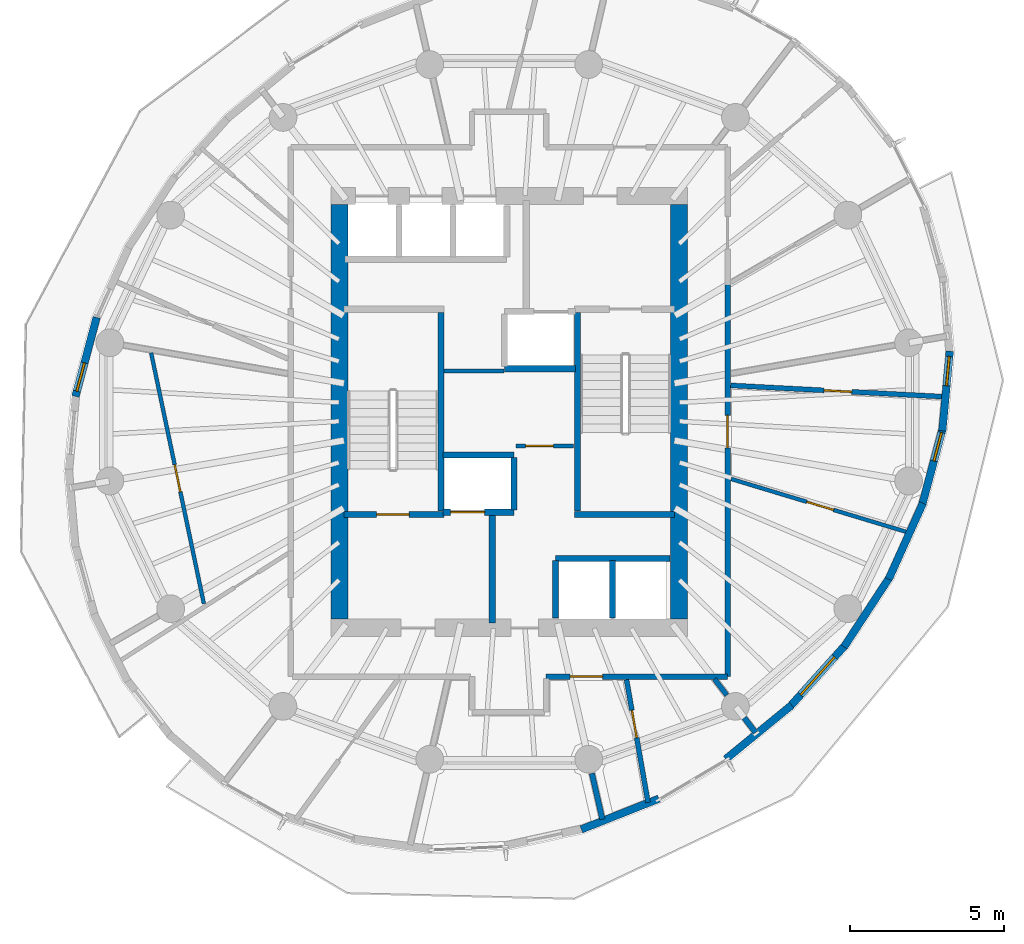
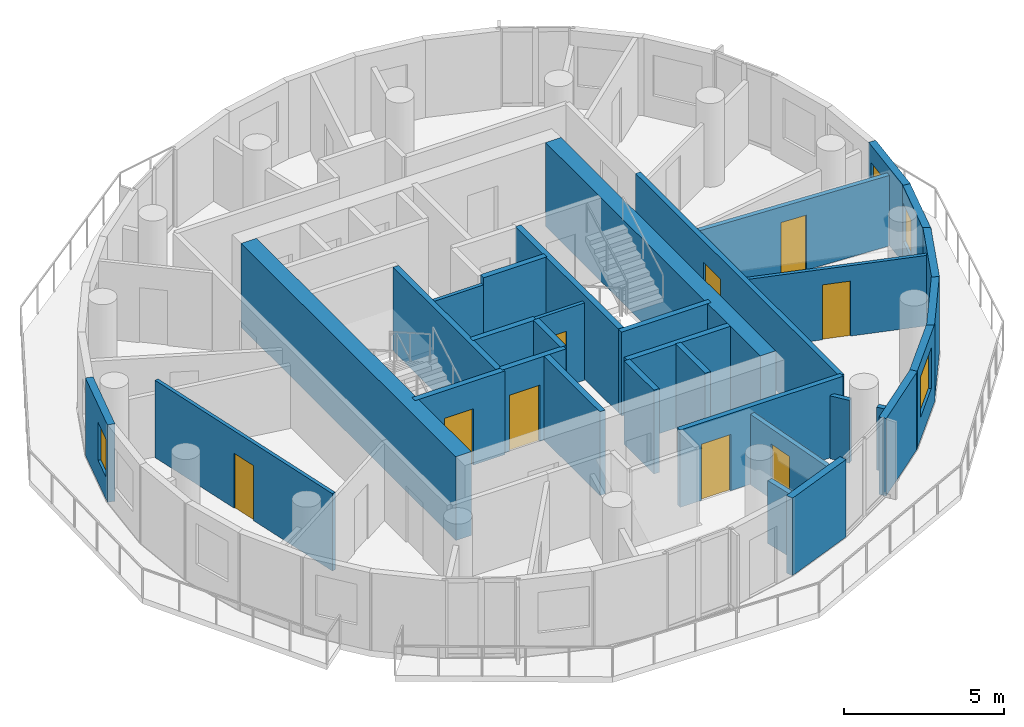
# One storey, part 5 of 10: 33 walls, 9 doors, 4 windows, 13 openings.
"""IFC4 building model written with IfcOpenShell, lengths in metres."""

from ifc_helpers import new_model, si_unit, direction, frame, frame_2d, origin, place, context, subcontext, project, spatial, rectangle, extrude, material, layer, layer_set, type_object, element, fill, save


model = new_model("IFC4")

# Units and contexts
model_context = context("Model", 3, precision=1e-05, world=origin(), true_north=direction((0.0, 1.0)))
body_context = subcontext(model_context, "Body", "Model", "MODEL_VIEW")
ifc_project = project(units=[si_unit("LENGTHUNIT", "METRE"), si_unit("AREAUNIT", "SQUARE_METRE"), si_unit("VOLUMEUNIT", "CUBIC_METRE"), si_unit("PLANEANGLEUNIT", "RADIAN"), si_unit("MASSUNIT", "GRAM", prefix="KILO")], contexts=[model_context])

# Site, building, storey
site_placement = place(None, origin())
site = spatial("IfcSite", under=ifc_project, at=site_placement, CompositionType="ELEMENT")
building_placement = place(site_placement, origin())
building = spatial("IfcBuilding", under=site, at=building_placement, Name="Veldorim Arch Residences", CompositionType="ELEMENT")
storey_placement = place(building_placement, frame((0.0, 0.0, 175.840087890625)))
storey = spatial("IfcBuildingStorey", under=building, at=storey_placement, Name="L52", CompositionType="ELEMENT", Elevation=175.840087890625)

# Wall, opening, door
ifc_material_1 = material(Name="Acoustic Gypsum Board", Category="gypsum")
ifc_layer_1 = layer(ifc_material_1, 0.125, Name="Acoustic Stud Room Partition Wall 125")
ifc_layer_set_1 = layer_set([ifc_layer_1], Name="Acoustic Gypsum Board")
wall_type_1 = type_object("IfcWallType", Name="Acoustic Stud Room Partition Wall 125", PredefinedType="PARTITIONING", material=ifc_layer_set_1)
wall_1_placement = place(storey_placement, frame((32.219970703125, 22.89990234375, 0.0), z_axis=(0.0, 0.0, 1.0), x_axis=(1.0, 0.0, 0.0)))
wall_1 = element("IfcWall", 1, at=wall_1_placement, inside=storey, type_object=wall_type_1, Name="L52 interior wall WL-CA-L52-2", PredefinedType="PARTITIONING", context=body_context, shape_type="SweptSolid", body=[
    extrude(rectangle(XDim=1.860107421875, YDim=0.125, at=frame_2d((0.93017578125, 0.0))), origin(), (0.0, 0.0, 1.0), 2.954833984375),
])
opening_1_placement = place(wall_1_placement, frame((0.31005859375, 0.0, 0.0)))
opening_1 = element("IfcOpeningElement", 2, at=opening_1_placement, cuts=wall_1, Name="Opening DR-SVC", PredefinedType="OPENING", context=body_context, shape_type="SweptSolid", body=[
    extrude(rectangle(XDim=0.89990234375, YDim=2.10009765625, at=frame_2d((0.449951171875, 1.050048828125))), frame((0.0, 0.072509765625, 0.0), z_axis=(0.0, -1.0, 0.0), x_axis=(1.0, 0.0, 0.0)), (0.0, 0.0, 1.0), 0.14501953125),
])
ifc_material_2 = material(Name="Fire-Rated Steel", Category="steel")
door_type_1 = type_object("IfcDoorType", Name="Riser, Shelter & Plant Room Rated Steel Door 900x2100", OperationType="SINGLE_SWING_LEFT", PredefinedType="DOOR", material=ifc_material_2)
door_1_placement = place(opening_1_placement, origin())
door_1 = element("IfcDoor", 3, at=door_1_placement, inside=storey, type_object=door_type_1, Name="L52 interior door DR-L52-CA1", OperationType="SINGLE_SWING_RIGHT", OverallHeight=2.10009765625, OverallWidth=0.89990234375, PredefinedType="DOOR", context=body_context, shape_type="SweptSolid", body=[
    extrude(rectangle(XDim=0.89990234375, YDim=2.10009765625, at=frame_2d((0.449951171875, 1.050048828125))), frame((0.0, 0.02490234375, 0.0), z_axis=(0.0, -1.0, 0.0), x_axis=(1.0, 0.0, 0.0)), (0.0, 0.0, 1.0), 0.050048828125),
])
fill(opening_1, door_1)

# Wall
wall_2_placement = place(storey_placement, frame((29.889892578125, 25.330078125, 0.0), z_axis=(0.0, 0.0, 1.0), x_axis=(1.0, 0.0, 0.0)))
element("IfcWall", 4, at=wall_2_placement, inside=storey, type_object=wall_type_1, Name="L52 interior wall WL-CA-L52-N", PredefinedType="PARTITIONING", context=body_context, shape_type="SweptSolid", body=[
    extrude(rectangle(XDim=1.940185546875, YDim=0.125, at=frame_2d((0.97021484375, 0.0))), origin(), (0.0, 0.0, 1.0), 2.954833984375),
])

# Wall, opening, door
wall_3_placement = place(storey_placement, frame((44.96337890625, 20.0830078125, 0.0), z_axis=(0.0, 0.0, 1.0), x_axis=(-0.95726021897, 0.289228064298, 0.0)))
wall_3 = element("IfcWall", 5, at=wall_3_placement, inside=storey, type_object=wall_type_1, Name="L52 interior wall WL-RES-L52-020", PredefinedType="PARTITIONING", context=body_context, shape_type="SweptSolid", body=[
    extrude(rectangle(XDim=6.026123046875, YDim=0.125, at=frame_2d((3.01318359375, 0.0))), origin(), (0.0, 0.0, 1.0), 2.69189453125),
])
opening_2_placement = place(wall_3_placement, frame((2.56298828125, 0.0, 0.0)))
opening_2 = element("IfcOpeningElement", 6, at=opening_2_placement, cuts=wall_3, Name="Opening DR-INT", PredefinedType="OPENING", context=body_context, shape_type="SweptSolid", body=[
    extrude(rectangle(XDim=0.89990234375, YDim=2.10009765625, at=frame_2d((0.449951171875, 1.050048828125))), frame((0.0, 0.072509765625, 0.0), z_axis=(0.0, -1.0, 0.0), x_axis=(1.0, 0.0, 0.0)), (0.0, 0.0, 1.0), 0.14501953125),
])
ifc_material_3 = material(Name="Engineered Timber", Category="wood")
door_type_2 = type_object("IfcDoorType", Name="Apartment Internal Room Timber Door 900x2100", OperationType="SINGLE_SWING_LEFT", PredefinedType="DOOR", material=ifc_material_3)
door_2_placement = place(opening_2_placement, origin())
door_2 = element("IfcDoor", 7, at=door_2_placement, inside=storey, type_object=door_type_2, Name="L52 interior door DR-RES-L52-005", OperationType="SINGLE_SWING_LEFT", OverallHeight=2.10009765625, OverallWidth=0.89990234375, PredefinedType="DOOR", context=body_context, shape_type="SweptSolid", body=[
    extrude(rectangle(XDim=0.89990234375, YDim=2.10009765625, at=frame_2d((0.449951171875, 1.050048828125))), frame((0.0, 0.02490234375, 0.0), z_axis=(0.0, -1.0, 0.0), x_axis=(1.0, 0.0, 0.0)), (0.0, 0.0, 1.0), 0.050048828125),
])
fill(opening_2, door_2)

wall_4_placement = place(storey_placement, frame((22.10302734375, 17.78271484375, 0.0), z_axis=(0.0, 0.0, 1.0), x_axis=(-0.205746874797, 0.978605243963, 0.0)))
wall_4 = element("IfcWall", 8, at=wall_4_placement, inside=storey, type_object=wall_type_1, Name="L52 interior wall WL-RES-L52-032", PredefinedType="PARTITIONING", context=body_context, shape_type="SweptSolid", body=[
    extrude(rectangle(XDim=8.30859375, YDim=0.125, at=frame_2d((4.154296875, 0.0))), origin(), (0.0, 0.0, 1.0), 2.954833984375),
])
opening_3_placement = place(wall_4_placement, frame((3.704345703125, 0.0, 0.0)))
opening_3 = element("IfcOpeningElement", 9, at=opening_3_placement, cuts=wall_4, Name="Opening DR-INT", PredefinedType="OPENING", context=body_context, shape_type="SweptSolid", body=[
    extrude(rectangle(XDim=0.89990234375, YDim=2.10009765625, at=frame_2d((0.449951171875, 1.050048828125))), frame((0.0, 0.072509765625, 0.0), z_axis=(0.0, -1.0, 0.0), x_axis=(1.0, 0.0, 0.0)), (0.0, 0.0, 1.0), 0.14501953125),
])
door_3_placement = place(opening_3_placement, origin())
door_3 = element("IfcDoor", 10, at=door_3_placement, inside=storey, type_object=door_type_2, Name="L52 interior door DR-RES-L52-017", OperationType="SINGLE_SWING_LEFT", OverallHeight=2.10009765625, OverallWidth=0.89990234375, PredefinedType="DOOR", context=body_context, shape_type="SweptSolid", body=[
    extrude(rectangle(XDim=0.89990234375, YDim=2.10009765625, at=frame_2d((0.449951171875, 1.050048828125))), frame((0.0, 0.02490234375, 0.0), z_axis=(0.0, -1.0, 0.0), x_axis=(1.0, 0.0, 0.0)), (0.0, 0.0, 1.0), 0.050048828125),
])
fill(opening_3, door_3)

# Walls
ifc_material_4 = material(Name="Lightweight Masonry Block & Gypsum", Category="masonry")
ifc_layer_2 = layer(ifc_material_4, 0.179931640625, Name="Compartment & Corridor Fire-Rated Party Wall 180")
ifc_layer_set_2 = layer_set([ifc_layer_2], Name="Lightweight Masonry Block & Gypsum")
wall_type_2 = type_object("IfcWallType", Name="Compartment & Corridor Fire-Rated Party Wall 180", PredefinedType="PARTITIONING", material=ifc_layer_set_2)
wall_5_placement = place(storey_placement, frame((34.679931640625, 12.282470703125, 0.0), z_axis=(0.0, 0.0, 1.0), x_axis=(0.222976920769, -0.974823723965, 0.0)))
element("IfcWall", 11, at=wall_5_placement, inside=storey, type_object=wall_type_2, Name="L52 interior wall WL-PIER-L52-13", PredefinedType="PARTITIONING", context=body_context, shape_type="SweptSolid", body=[
    extrude(rectangle(XDim=1.525146484375, YDim=0.179931640625, at=frame_2d((0.7626953125, 0.0))), origin(), (0.0, 0.0, 1.0), 2.4033203125),
])
wall_6_placement = place(storey_placement, frame((39.619873046875, 14.08203125, 0.0), z_axis=(0.0, 0.0, 1.0), x_axis=(0.609062571598, -0.793122174623, 0.0)))
element("IfcWall", 12, at=wall_6_placement, inside=storey, type_object=wall_type_2, Name="L52 interior wall WL-PIER-L52-14", PredefinedType="PARTITIONING", context=body_context, shape_type="SweptSolid", body=[
    extrude(rectangle(XDim=0.600830078125, YDim=0.179931640625, at=frame_2d((0.30029296875, 0.0))), origin(), (0.0, 0.0, 1.0), 2.4033203125),
])

# Wall, opening, door
wall_7_placement = place(storey_placement, frame((39.080078125, 15.419921875, 0.0), z_axis=(0.0, 0.0, 1.0), x_axis=(-1.0, 0.0, 0.0)))
wall_7 = element("IfcWall", 13, at=wall_7_placement, inside=storey, type_object=wall_type_2, Name="L52 interior wall WL-RES-L52-001", PredefinedType="PARTITIONING", context=body_context, shape_type="SweptSolid", body=[
    extrude(rectangle(XDim=5.880126953125, YDim=0.179931640625, at=frame_2d((2.93994140625, 0.0))), origin(), (0.0, 0.0, 1.0), 2.954833984375),
])
opening_4_placement = place(wall_7_placement, frame((4.05224609375, 0.0, 0.0)))
opening_4 = element("IfcOpeningElement", 14, at=opening_4_placement, cuts=wall_7, Name="Opening DR-FLT", PredefinedType="OPENING", context=body_context, shape_type="SweptSolid", body=[
    extrude(rectangle(XDim=1.050048828125, YDim=2.14990234375, at=frame_2d((0.52490234375, 1.074951171875))), frame((0.0, 0.099853515625, 0.0), z_axis=(0.0, -1.0, 0.0), x_axis=(1.0, 0.0, 0.0)), (0.0, 0.0, 1.0), 0.199951171875),
])
ifc_material_5 = material(Name="Fire-Rated Timber", Category="wood")
door_type_3 = type_object("IfcDoorType", Name="Apartment Entrance Solid-Core Fire Door 1050x2150", OperationType="SINGLE_SWING_LEFT", PredefinedType="DOOR", material=ifc_material_5)
door_4_placement = place(opening_4_placement, origin())
door_4 = element("IfcDoor", 15, at=door_4_placement, inside=storey, type_object=door_type_3, Name="L52 interior door DR-RES-L52-001", OperationType="SINGLE_SWING_LEFT", OverallHeight=2.14990234375, OverallWidth=1.050048828125, PredefinedType="DOOR", context=body_context, shape_type="SweptSolid", body=[
    extrude(rectangle(XDim=1.050048828125, YDim=2.14990234375, at=frame_2d((0.52490234375, 1.074951171875))), frame((0.0, 0.02490234375, 0.0), z_axis=(0.0, -1.0, 0.0), x_axis=(1.0, 0.0, 0.0)), (0.0, 0.0, 1.0), 0.050048828125),
])
fill(opening_4, door_4)

wall_8_placement = place(storey_placement, frame((39.080078125, 28.155517578125, 0.0), z_axis=(0.0, 0.0, 1.0), x_axis=(0.0, -1.0, 0.0)))
wall_8 = element("IfcWall", 16, at=wall_8_placement, inside=storey, type_object=wall_type_2, Name="L52 interior wall WL-RES-L52-006", PredefinedType="PARTITIONING", context=body_context, shape_type="SweptSolid", body=[
    extrude(rectangle(XDim=12.735595703125, YDim=0.179931640625, at=frame_2d((6.36767578125, 0.0))), origin(), (0.0, 0.0, 1.0), 2.954833984375),
])
opening_5_placement = place(wall_8_placement, frame((4.268798828125, 0.0, 0.0)))
opening_5 = element("IfcOpeningElement", 17, at=opening_5_placement, cuts=wall_8, Name="Opening DR-FLT", PredefinedType="OPENING", context=body_context, shape_type="SweptSolid", body=[
    extrude(rectangle(XDim=1.050048828125, YDim=2.14990234375, at=frame_2d((0.52490234375, 1.074951171875))), frame((0.0, 0.099853515625, 0.0), z_axis=(0.0, -1.0, 0.0), x_axis=(1.0, 0.0, 0.0)), (0.0, 0.0, 1.0), 0.199951171875),
])
door_5_placement = place(opening_5_placement, origin())
door_5 = element("IfcDoor", 18, at=door_5_placement, inside=storey, type_object=door_type_3, Name="L52 interior door DR-RES-L52-003", OperationType="SINGLE_SWING_LEFT", OverallHeight=2.14990234375, OverallWidth=1.050048828125, PredefinedType="DOOR", context=body_context, shape_type="SweptSolid", body=[
    extrude(rectangle(XDim=1.050048828125, YDim=2.14990234375, at=frame_2d((0.52490234375, 1.074951171875))), frame((0.0, 0.02490234375, 0.0), z_axis=(0.0, -1.0, 0.0), x_axis=(1.0, 0.0, 0.0)), (0.0, 0.0, 1.0), 0.050048828125),
])
fill(opening_5, door_5)

# Wall
ifc_material_6 = material(Name="Concrete C50/60", Category="concrete")
ifc_layer_3 = layer(ifc_material_6, 0.199951171875, Name="Core Stair & Lift Shaft Enclosure Wall 200")
ifc_layer_set_3 = layer_set([ifc_layer_3], Name="Concrete C50/60")
wall_type_3 = type_object("IfcWallType", Name="Core Stair & Lift Shaft Enclosure Wall 200", PredefinedType="SHEAR", material=ifc_layer_set_3)
wall_9_placement = place(storey_placement, frame((29.7900390625, 20.780029296875, 0.0), z_axis=(0.0, 0.0, 1.0), x_axis=(0.0, 1.0, 0.0)))
element("IfcWall", 19, at=wall_9_placement, inside=storey, type_object=wall_type_3, Name="L52 shaft wall WL-SHF-L52-ST1-E", PredefinedType="SHEAR", context=body_context, shape_type="SweptSolid", body=[
    extrude(rectangle(XDim=6.43994140625, YDim=0.199951171875, at=frame_2d((3.219970703125, 0.0))), origin(), (0.0, 0.0, 1.0), 3.199951171875),
])

# Wall, opening, door
wall_10_placement = place(storey_placement, frame((26.64990234375, 20.669921875, 0.0), z_axis=(0.0, 0.0, 1.0), x_axis=(1.0, 0.0, 0.0)))
wall_10 = element("IfcWall", 20, at=wall_10_placement, inside=storey, type_object=wall_type_3, Name="L52 shaft wall WL-SHF-L52-ST1-S", PredefinedType="SHEAR", context=body_context, shape_type="SweptSolid", body=[
    extrude(rectangle(XDim=3.239990234375, YDim=0.199951171875, at=frame_2d((1.6201171875, 0.0))), origin(), (0.0, 0.0, 1.0), 3.199951171875),
])
opening_6_placement = place(wall_10_placement, frame((1.054931640625, 0.0, 0.0)))
opening_6 = element("IfcOpeningElement", 21, at=opening_6_placement, cuts=wall_10, Name="Opening DR-ST", PredefinedType="OPENING", context=body_context, shape_type="SweptSolid", body=[
    extrude(rectangle(XDim=1.050048828125, YDim=2.14990234375, at=frame_2d((0.52490234375, 1.074951171875))), frame((0.0, 0.10986328125, 0.0), z_axis=(0.0, -1.0, 0.0), x_axis=(1.0, 0.0, 0.0)), (0.0, 0.0, 1.0), 0.219970703125),
])
ifc_material_7 = material(Name="Fire-Rated Steel", Category="steel")
door_type_4 = type_object("IfcDoorType", Name="Exit Staircase Self-Closing Fire Door 1050x2150", OperationType="SINGLE_SWING_LEFT", PredefinedType="DOOR", material=ifc_material_7)
door_6_placement = place(opening_6_placement, origin())
door_6 = element("IfcDoor", 22, at=door_6_placement, inside=storey, type_object=door_type_4, Name="L52 interior door DR-L52-ST1", OperationType="SINGLE_SWING_LEFT", OverallHeight=2.14990234375, OverallWidth=1.050048828125, PredefinedType="DOOR", context=body_context, shape_type="SweptSolid", body=[
    extrude(rectangle(XDim=1.050048828125, YDim=2.14990234375, at=frame_2d((0.52490234375, 1.074951171875))), frame((0.0, 0.02490234375, 0.0), z_axis=(0.0, -1.0, 0.0), x_axis=(1.0, 0.0, 0.0)), (0.0, 0.0, 1.0), 0.050048828125),
])
fill(opening_6, door_6)

# Walls
wall_11_placement = place(storey_placement, frame((34.2099609375, 20.780029296875, 0.0), z_axis=(0.0, 0.0, 1.0), x_axis=(0.0, 1.0, 0.0)))
element("IfcWall", 23, at=wall_11_placement, inside=storey, type_object=wall_type_3, Name="L52 shaft wall WL-SHF-L52-ST2-W", PredefinedType="SHEAR", context=body_context, shape_type="SweptSolid", body=[
    extrude(rectangle(XDim=6.43994140625, YDim=0.199951171875, at=frame_2d((3.219970703125, 0.0))), origin(), (0.0, 0.0, 1.0), 3.199951171875),
])
wall_12_placement = place(storey_placement, frame((34.110107421875, 20.669921875, 0.0), z_axis=(0.0, 0.0, 1.0), x_axis=(1.0, 0.0, 0.0)))
element("IfcWall", 24, at=wall_12_placement, inside=storey, type_object=wall_type_3, Name="L52 shaft wall WL-SHF-L52-ST2-S", PredefinedType="SHEAR", context=body_context, shape_type="SweptSolid", body=[
    extrude(rectangle(XDim=3.239990234375, YDim=0.199951171875, at=frame_2d((1.6201171875, 0.0))), origin(), (0.0, 0.0, 1.0), 3.199951171875),
])
wall_13_placement = place(storey_placement, frame((31.449951171875, 17.14990234375, 0.0), z_axis=(0.0, 0.0, 1.0), x_axis=(0.0, 1.0, 0.0)))
element("IfcWall", 25, at=wall_13_placement, inside=storey, type_object=wall_type_3, Name="L52 shaft wall WL-FFL1-L52-E", PredefinedType="SHEAR", context=body_context, shape_type="SweptSolid", body=[
    extrude(rectangle(XDim=3.5, YDim=0.199951171875, at=frame_2d((1.75, 0.0))), origin(), (0.0, 0.0, 1.0), 3.199951171875),
])

# Wall, opening, door
wall_14_placement = place(storey_placement, frame((29.85009765625, 20.75, 0.0), z_axis=(0.0, 0.0, 1.0), x_axis=(1.0, 0.0, 0.0)))
wall_14 = element("IfcWall", 26, at=wall_14_placement, inside=storey, type_object=wall_type_3, Name="L52 shaft wall WL-FL01-L52-S", PredefinedType="SHEAR", context=body_context, shape_type="SweptSolid", body=[
    extrude(rectangle(XDim=2.2998046875, YDim=0.199951171875, at=frame_2d((1.14990234375, 0.0))), origin(), (0.0, 0.0, 1.0), 3.199951171875),
])
opening_7_placement = place(wall_14_placement, frame((0.25, 0.0, 0.0)))
opening_7 = element("IfcOpeningElement", 27, at=opening_7_placement, cuts=wall_14, Name="Opening LD-FF", PredefinedType="OPENING", context=body_context, shape_type="SweptSolid", body=[
    extrude(rectangle(XDim=1.10009765625, YDim=2.14990234375, at=frame_2d((0.550048828125, 1.074951171875))), frame((0.0, 0.10986328125, 0.0), z_axis=(0.0, -1.0, 0.0), x_axis=(1.0, 0.0, 0.0)), (0.0, 0.0, 1.0), 0.219970703125),
])
ifc_material_8 = material(Name="Stainless Steel", Category="steel")
door_type_5 = type_object("IfcDoorType", Name="Firefighting Lift Bi-Parting Sliding Landing Door 1100x2150", OperationType="DOUBLE_DOOR_SLIDING", PredefinedType="DOOR", material=ifc_material_8)
door_7_placement = place(opening_7_placement, origin())
door_7 = element("IfcDoor", 28, at=door_7_placement, inside=storey, type_object=door_type_5, Name="L52 lift landing door LD-L52-FL01", OperationType="DOUBLE_DOOR_SLIDING", OverallHeight=2.14990234375, OverallWidth=1.10009765625, PredefinedType="DOOR", context=body_context, shape_type="SweptSolid", body=[
    extrude(rectangle(XDim=1.10009765625, YDim=2.14990234375, at=frame_2d((0.550048828125, 1.074951171875))), frame((0.0, 0.02490234375, 0.0), z_axis=(0.0, -1.0, 0.0), x_axis=(1.0, 0.0, 0.0)), (0.0, 0.0, 1.0), 0.050048828125),
])
fill(opening_7, door_7)

# Walls
wall_15_placement = place(storey_placement, frame((29.85009765625, 22.60009765625, 0.0), z_axis=(0.0, 0.0, 1.0), x_axis=(1.0, 0.0, 0.0)))
element("IfcWall", 29, at=wall_15_placement, inside=storey, type_object=wall_type_3, Name="L52 shaft wall WL-FL01-L52-N", PredefinedType="SHEAR", context=body_context, shape_type="SweptSolid", body=[
    extrude(rectangle(XDim=2.2998046875, YDim=0.199951171875, at=frame_2d((1.14990234375, 0.0))), origin(), (0.0, 0.0, 1.0), 3.199951171875),
])
wall_16_placement = place(storey_placement, frame((32.14990234375, 20.820068359375, 0.0), z_axis=(0.0, 0.0, 1.0), x_axis=(0.0, 1.0, 0.0)))
element("IfcWall", 30, at=wall_16_placement, inside=storey, type_object=wall_type_3, Name="L52 shaft wall WL-FL01-L52-E", PredefinedType="SHEAR", context=body_context, shape_type="SweptSolid", body=[
    extrude(rectangle(XDim=1.7099609375, YDim=0.199951171875, at=frame_2d((0.85498046875, 0.0))), origin(), (0.0, 0.0, 1.0), 3.199951171875),
])
wall_17_placement = place(storey_placement, frame((31.85009765625, 25.39990234375, 0.0), z_axis=(0.0, 0.0, 1.0), x_axis=(1.0, 0.0, 0.0)))
element("IfcWall", 31, at=wall_17_placement, inside=storey, type_object=wall_type_3, Name="L52 shaft wall WL-FL02-L52-S", PredefinedType="SHEAR", context=body_context, shape_type="SweptSolid", body=[
    extrude(rectangle(XDim=2.2998046875, YDim=0.199951171875, at=frame_2d((1.14990234375, 0.0))), origin(), (0.0, 0.0, 1.0), 3.199951171875),
])
wall_18_placement = place(storey_placement, frame((33.5, 19.25, 0.0), z_axis=(0.0, 0.0, 1.0), x_axis=(1.0, 0.0, 0.0)))
element("IfcWall", 32, at=wall_18_placement, inside=storey, type_object=wall_type_3, Name="L52 shaft wall WL-OL-L52-N", PredefinedType="SHEAR", context=body_context, shape_type="SweptSolid", body=[
    extrude(rectangle(XDim=3.719970703125, YDim=0.199951171875, at=frame_2d((1.85986328125, 0.0))), origin(), (0.0, 0.0, 1.0), 3.199951171875),
])
for number, where, z_axis, x_axis, name in (
    (33, (33.5, 17.320068359375, 0.0), (0.0, 0.0, 1.0), (0.0, 1.0, 0.0), "L52 shaft wall WL-OL-L52-W"),
    (34, (35.35009765625, 17.320068359375, 0.0), (0.0, 0.0, 1.0), (0.0, 1.0, 0.0), "L52 shaft wall WL-OL-L52-D1"),
):
    element("IfcWall", number, at=place(storey_placement, frame(where, z_axis=z_axis, x_axis=x_axis)), inside=storey, type_object=wall_type_3, Name=name, PredefinedType="SHEAR", context=body_context, shape_type="SweptSolid", body=[
        extrude(rectangle(XDim=1.85986328125, YDim=0.199951171875, at=frame_2d((0.929931640625, 0.0))), origin(), (0.0, 0.0, 1.0), 3.199951171875),
    ])

# Wall, opening, window
ifc_material_9 = material(Name="Precast concrete C40/50", Category="concrete")
ifc_layer_4 = layer(ifc_material_9, 0.25, Name="Tower Terracotta Spandrel & Pier Wall 250")
ifc_layer_set_4 = layer_set([ifc_layer_4], Name="Precast concrete C40/50")
wall_type_4 = type_object("IfcWallType", Name="Tower Terracotta Spandrel & Pier Wall 250", PredefinedType="SOLIDWALL", material=ifc_layer_set_4)
wall_19_placement = place(storey_placement, frame((17.940185546875, 24.502685546875, 0.0), z_axis=(0.0, 0.0, 1.0), x_axis=(0.258688517816, 0.965960791518, 0.0)))
wall_19 = element("IfcWall", 35, at=wall_19_placement, inside=storey, type_object=wall_type_4, Name="L52 terracotta facade wall 13", PredefinedType="SOLIDWALL", context=body_context, shape_type="SweptSolid", body=[
    extrude(rectangle(XDim=2.651123046875, YDim=0.25, at=frame_2d((1.32568359375, 0.0))), origin(), (0.0, 0.0, 1.0), 2.9599609375),
])
opening_8_placement = place(wall_19_placement, frame((0.175048828125, 0.0, 0.85009765625)))
opening_8 = element("IfcOpeningElement", 36, at=opening_8_placement, cuts=wall_19, Name="Opening WN-05", PredefinedType="OPENING", context=body_context, shape_type="SweptSolid", body=[
    extrude(rectangle(XDim=0.949951171875, YDim=1.449951171875, at=frame_2d((0.47509765625, 0.72509765625))), frame((0.0, 0.135009765625, 0.0), z_axis=(0.0, -1.0, 0.0), x_axis=(1.0, 0.0, 0.0)), (0.0, 0.0, 1.0), 0.27001953125),
])
ifc_material_10 = material(Name="Laminated Low-E Glass", Category="glass")
window_type_1 = type_object("IfcWindowType", Name="Residential Compact Casement Window 950x1450", PartitioningType="SINGLE_PANEL", PredefinedType="WINDOW", material=ifc_material_10)
window_1_placement = place(opening_8_placement, origin())
window_1 = element("IfcWindow", 37, at=window_1_placement, inside=storey, type_object=window_type_1, Name="L52 solar-control facade window 13", OverallHeight=1.449951171875, OverallWidth=0.949951171875, PartitioningType="SINGLE_PANEL", PredefinedType="WINDOW", context=body_context, shape_type="SweptSolid", body=[
    extrude(rectangle(XDim=0.949951171875, YDim=1.449951171875, at=frame_2d((0.47509765625, 0.72509765625))), frame((0.0, 0.030029296875, 0.0), z_axis=(0.0, -1.0, 0.0), x_axis=(1.0, 0.0, 0.0)), (0.0, 0.0, 1.0), 0.06005859375),
])
fill(opening_8, window_1)

# Walls
wall_20_placement = place(storey_placement, frame((36.850830078125, 11.4619140625, 0.0), z_axis=(0.0, 0.0, 1.0), x_axis=(-0.929693178164, -0.368334894459, 0.0)))
element("IfcWall", 38, at=wall_20_placement, inside=storey, type_object=wall_type_4, Name="L52 terracotta facade wall 25", PredefinedType="SOLIDWALL", context=body_context, shape_type="SweptSolid", body=[
    extrude(rectangle(XDim=2.70166015625, YDim=0.25, at=frame_2d((1.350830078125, 0.0))), origin(), (0.0, 0.0, 1.0), 2.9599609375),
])
wall_21_placement = place(storey_placement, frame((41.15478515625, 14.4921875, 0.0), z_axis=(0.0, 0.0, 1.0), x_axis=(-0.773491700486, -0.633806428872, 0.0)))
element("IfcWall", 39, at=wall_21_placement, inside=storey, type_object=wall_type_4, Name="L52 terracotta facade wall 27", PredefinedType="SOLIDWALL", context=body_context, shape_type="SweptSolid", body=[
    extrude(rectangle(XDim=2.758056640625, YDim=0.25, at=frame_2d((1.37890625, 0.0))), origin(), (0.0, 0.0, 1.0), 2.9599609375),
])

# Wall, opening, window
wall_22_placement = place(storey_placement, frame((42.920654296875, 16.467529296875, 0.0), z_axis=(0.0, 0.0, 1.0), x_axis=(-0.668764193685, -0.743474581438, 0.0)))
wall_22 = element("IfcWall", 40, at=wall_22_placement, inside=storey, type_object=wall_type_4, Name="L52 terracotta facade wall 28", PredefinedType="SOLIDWALL", context=body_context, shape_type="SweptSolid", body=[
    extrude(rectangle(XDim=2.758056640625, YDim=0.25, at=frame_2d((1.37890625, 0.0))), origin(), (0.0, 0.0, 1.0), 2.9599609375),
])
opening_9_placement = place(wall_22_placement, frame((0.553955078125, 0.0, 0.85009765625)))
opening_9 = element("IfcOpeningElement", 41, at=opening_9_placement, cuts=wall_22, Name="Opening WN-03", PredefinedType="OPENING", context=body_context, shape_type="SweptSolid", body=[
    extrude(rectangle(XDim=1.64990234375, YDim=1.550048828125, at=frame_2d((0.824951171875, 0.77490234375))), frame((0.0, 0.135009765625, 0.0), z_axis=(0.0, -1.0, 0.0), x_axis=(1.0, 0.0, 0.0)), (0.0, 0.0, 1.0), 0.27001953125),
])
ifc_material_11 = material(Name="Laminated Low-E Glass", Category="glass")
window_type_2 = type_object("IfcWindowType", Name="Residential Wide Window 1650x1550", PartitioningType="SINGLE_PANEL", PredefinedType="WINDOW", material=ifc_material_11)
window_2_placement = place(opening_9_placement, origin())
window_2 = element("IfcWindow", 42, at=window_2_placement, inside=storey, type_object=window_type_2, Name="L52 solar-control facade window 28", OverallHeight=1.550048828125, OverallWidth=1.64990234375, PartitioningType="SINGLE_PANEL", PredefinedType="WINDOW", context=body_context, shape_type="SweptSolid", body=[
    extrude(rectangle(XDim=1.64990234375, YDim=1.550048828125, at=frame_2d((0.824951171875, 0.77490234375))), frame((0.0, 0.030029296875, 0.0), z_axis=(0.0, -1.0, 0.0), x_axis=(1.0, 0.0, 0.0)), (0.0, 0.0, 1.0), 0.06005859375),
])
fill(opening_9, window_2)

# Walls
wall_23_placement = place(storey_placement, frame((44.35400390625, 18.672607421875, 0.0), z_axis=(0.0, 0.0, 1.0), x_axis=(-0.547664848596, -0.83669780304, 0.0)))
element("IfcWall", 43, at=wall_23_placement, inside=storey, type_object=wall_type_4, Name="L52 terracotta facade wall 29", PredefinedType="SOLIDWALL", context=body_context, shape_type="SweptSolid", body=[
    extrude(rectangle(XDim=2.738525390625, YDim=0.25, at=frame_2d((1.369140625, 0.0))), origin(), (0.0, 0.0, 1.0), 2.9599609375),
])
wall_24_placement = place(storey_placement, frame((45.410888671875, 21.0400390625, 0.0), z_axis=(0.0, 0.0, 1.0), x_axis=(-0.410736648959, -0.911754026699, 0.0)))
element("IfcWall", 44, at=wall_24_placement, inside=storey, type_object=wall_type_4, Name="L52 terracotta facade wall 30", PredefinedType="SOLIDWALL", context=body_context, shape_type="SweptSolid", body=[
    extrude(rectangle(XDim=2.701416015625, YDim=0.25, at=frame_2d((1.3505859375, 0.0))), origin(), (0.0, 0.0, 1.0), 2.9599609375),
])

# Wall, opening, window
wall_25_placement = place(storey_placement, frame((46.059814453125, 23.497314453125, 0.0), z_axis=(0.0, 0.0, 1.0), x_axis=(-0.258688517816, -0.965960791518, 0.0)))
wall_25 = element("IfcWall", 45, at=wall_25_placement, inside=storey, type_object=wall_type_4, Name="L52 terracotta facade wall 31", PredefinedType="SOLIDWALL", context=body_context, shape_type="SweptSolid", body=[
    extrude(rectangle(XDim=2.651123046875, YDim=0.25, at=frame_2d((1.32568359375, 0.0))), origin(), (0.0, 0.0, 1.0), 2.9599609375),
])
opening_10_placement = place(wall_25_placement, frame((0.175048828125, 0.0, 0.85009765625)))
opening_10 = element("IfcOpeningElement", 46, at=opening_10_placement, cuts=wall_25, Name="Opening WN-05", PredefinedType="OPENING", context=body_context, shape_type="SweptSolid", body=[
    extrude(rectangle(XDim=0.949951171875, YDim=1.449951171875, at=frame_2d((0.47509765625, 0.72509765625))), frame((0.0, 0.135009765625, 0.0), z_axis=(0.0, -1.0, 0.0), x_axis=(1.0, 0.0, 0.0)), (0.0, 0.0, 1.0), 0.27001953125),
])
window_3_placement = place(opening_10_placement, origin())
window_3 = element("IfcWindow", 47, at=window_3_placement, inside=storey, type_object=window_type_1, Name="L52 solar-control facade window 31", OverallHeight=1.449951171875, OverallWidth=0.949951171875, PartitioningType="SINGLE_PANEL", PredefinedType="WINDOW", context=body_context, shape_type="SweptSolid", body=[
    extrude(rectangle(XDim=0.949951171875, YDim=1.449951171875, at=frame_2d((0.47509765625, 0.72509765625))), frame((0.0, 0.030029296875, 0.0), z_axis=(0.0, -1.0, 0.0), x_axis=(1.0, 0.0, 0.0)), (0.0, 0.0, 1.0), 0.06005859375),
])
fill(opening_10, window_3)

wall_26_placement = place(storey_placement, frame((46.2802734375, 25.969482421875, 0.0), z_axis=(0.0, 0.0, 1.0), x_axis=(-0.092582110032, -0.995705053167, 0.0)))
wall_26 = element("IfcWall", 48, at=wall_26_placement, inside=storey, type_object=wall_type_4, Name="L52 terracotta facade wall 32", PredefinedType="SOLIDWALL", context=body_context, shape_type="SweptSolid", body=[
    extrude(rectangle(XDim=2.59228515625, YDim=0.25, at=frame_2d((1.296142578125, 0.0))), origin(), (0.0, 0.0, 1.0), 2.9599609375),
])
opening_11_placement = place(wall_26_placement, frame((0.175048828125, 0.0, 0.85009765625)))
opening_11 = element("IfcOpeningElement", 49, at=opening_11_placement, cuts=wall_26, Name="Opening WN-05", PredefinedType="OPENING", context=body_context, shape_type="SweptSolid", body=[
    extrude(rectangle(XDim=0.949951171875, YDim=1.449951171875, at=frame_2d((0.47509765625, 0.72509765625))), frame((0.0, 0.135009765625, 0.0), z_axis=(0.0, -1.0, 0.0), x_axis=(1.0, 0.0, 0.0)), (0.0, 0.0, 1.0), 0.27001953125),
])
window_4_placement = place(opening_11_placement, origin())
window_4 = element("IfcWindow", 50, at=window_4_placement, inside=storey, type_object=window_type_1, Name="L52 solar-control facade window 32", OverallHeight=1.449951171875, OverallWidth=0.949951171875, PartitioningType="SINGLE_PANEL", PredefinedType="WINDOW", context=body_context, shape_type="SweptSolid", body=[
    extrude(rectangle(XDim=0.949951171875, YDim=1.449951171875, at=frame_2d((0.47509765625, 0.72509765625))), frame((0.0, 0.030029296875, 0.0), z_axis=(0.0, -1.0, 0.0), x_axis=(1.0, 0.0, 0.0)), (0.0, 0.0, 1.0), 0.06005859375),
])
fill(opening_11, window_4)

# Walls
ifc_material_12 = material(Name="Concrete C50/60", Category="concrete")
ifc_layer_5 = layer(ifc_material_12, 0.5, Name="Upper Central Core Shear Wall 560")
ifc_layer_set_5 = layer_set([ifc_layer_5], Name="Concrete C50/60")
wall_type_5 = type_object("IfcWallType", Name="Upper Central Core Shear Wall 560", PredefinedType="SHEAR", material=ifc_layer_set_5)
for number, where, z_axis, x_axis, name in (
    (51, (26.5, 17.280029296875, 0.0), (0.0, 0.0, 1.0), (0.0, 1.0, 0.0), "L52 central core west shear wall"),
    (52, (37.5, 17.280029296875, 0.0), (0.0, 0.0, 1.0), (0.0, 1.0, 0.0), "L52 central core east shear wall"),
):
    element("IfcWall", number, at=place(storey_placement, frame(where, z_axis=z_axis, x_axis=x_axis)), inside=storey, type_object=wall_type_5, Name=name, PredefinedType="SHEAR", context=body_context, shape_type="SweptSolid", body=[
        extrude(rectangle(XDim=13.43994140625, YDim=0.56005859375, at=frame_2d((6.719970703125, 0.0))), origin(), (0.0, 0.0, 1.0), 3.199951171875),
    ])

# Wall, opening, door
ifc_material_13 = material(Name="Moisture-Resistant Gypsum & Stud", Category="gypsum")
ifc_layer_6 = layer(ifc_material_13, 0.159912109375, Name="Wet-Area Moisture-Resistant Plumbing Wall 160")
ifc_layer_set_6 = layer_set([ifc_layer_6], Name="Moisture-Resistant Gypsum & Stud")
wall_type_6 = type_object("IfcWallType", Name="Wet-Area Moisture-Resistant Plumbing Wall 160", PredefinedType="PLUMBINGWALL", material=ifc_layer_set_6)
wall_27_placement = place(storey_placement, frame((35.802490234375, 15.321533203125, 0.0), z_axis=(0.0, 0.0, 1.0), x_axis=(0.172579535558, -0.98499558573, 0.0)))
wall_27 = element("IfcWall", 53, at=wall_27_placement, inside=storey, type_object=wall_type_6, Name="L52 interior wall WL-RES-L52-016", PredefinedType="PLUMBINGWALL", context=body_context, shape_type="SweptSolid", body=[
    extrude(rectangle(XDim=4.04296875, YDim=0.159912109375, at=frame_2d((2.021484375, 0.0))), origin(), (0.0, 0.0, 1.0), 2.69189453125),
])
opening_12_placement = place(wall_27_placement, frame((1.011474609375, 0.0, 0.0)))
opening_12 = element("IfcOpeningElement", 54, at=opening_12_placement, cuts=wall_27, Name="Opening DR-WC", PredefinedType="OPENING", context=body_context, shape_type="SweptSolid", body=[
    extrude(rectangle(XDim=0.89990234375, YDim=2.10009765625, at=frame_2d((0.449951171875, 1.050048828125))), frame((0.0, 0.08984375, 0.0), z_axis=(0.0, -1.0, 0.0), x_axis=(1.0, 0.0, 0.0)), (0.0, 0.0, 1.0), 0.179931640625),
])
ifc_material_14 = material(Name="Laminate Timber", Category="wood")
door_type_6 = type_object("IfcDoorType", Name="Bathroom & Accessible WC Moisture-Sealed Door 900x2100", OperationType="SINGLE_SWING_LEFT", PredefinedType="DOOR", material=ifc_material_14)
door_8_placement = place(opening_12_placement, origin())
door_8 = element("IfcDoor", 55, at=door_8_placement, inside=storey, type_object=door_type_6, Name="L52 interior door DR-RES-L52-002", OperationType="SINGLE_SWING_RIGHT", OverallHeight=2.10009765625, OverallWidth=0.89990234375, PredefinedType="DOOR", context=body_context, shape_type="SweptSolid", body=[
    extrude(rectangle(XDim=0.89990234375, YDim=2.10009765625, at=frame_2d((0.449951171875, 1.050048828125))), frame((0.0, 0.02490234375, 0.0), z_axis=(0.0, -1.0, 0.0), x_axis=(1.0, 0.0, 0.0)), (0.0, 0.0, 1.0), 0.050048828125),
])
fill(opening_12, door_8)

# Wall
wall_28_placement = place(storey_placement, frame((38.65283203125, 15.3408203125, 0.0), z_axis=(0.0, 0.0, 1.0), x_axis=(0.609101063055, -0.79309261438, 0.0)))
element("IfcWall", 56, at=wall_28_placement, inside=storey, type_object=wall_type_6, Name="L52 interior wall WL-RES-L52-018", PredefinedType="PLUMBINGWALL", context=body_context, shape_type="SweptSolid", body=[
    extrude(rectangle(XDim=0.658203125, YDim=0.159912109375, at=frame_2d((0.3291015625, 0.0))), origin(), (0.0, 0.0, 1.0), 2.4033203125),
])

# Wall, opening, door
wall_29_placement = place(storey_placement, frame((39.179931640625, 24.8583984375, 0.0), z_axis=(0.0, 0.0, 1.0), x_axis=(0.998597105279, -0.05295112207, 0.0)))
wall_29 = element("IfcWall", 57, at=wall_29_placement, inside=storey, type_object=wall_type_6, Name="L52 interior wall WL-RES-L52-019", PredefinedType="PLUMBINGWALL", context=body_context, shape_type="SweptSolid", body=[
    extrude(rectangle(XDim=6.95751953125, YDim=0.159912109375, at=frame_2d((3.478759765625, 0.0))), origin(), (0.0, 0.0, 1.0), 2.69189453125),
])
opening_13_placement = place(wall_29_placement, frame((3.02880859375, 0.0, 0.0)))
opening_13 = element("IfcOpeningElement", 58, at=opening_13_placement, cuts=wall_29, Name="Opening DR-WC", PredefinedType="OPENING", context=body_context, shape_type="SweptSolid", body=[
    extrude(rectangle(XDim=0.89990234375, YDim=2.10009765625, at=frame_2d((0.449951171875, 1.050048828125))), frame((0.0, 0.08984375, 0.0), z_axis=(0.0, -1.0, 0.0), x_axis=(1.0, 0.0, 0.0)), (0.0, 0.0, 1.0), 0.179931640625),
])
door_9_placement = place(opening_13_placement, origin())
door_9 = element("IfcDoor", 59, at=door_9_placement, inside=storey, type_object=door_type_6, Name="L52 interior door DR-RES-L52-004", OperationType="SINGLE_SWING_RIGHT", OverallHeight=2.10009765625, OverallWidth=0.89990234375, PredefinedType="DOOR", context=body_context, shape_type="SweptSolid", body=[
    extrude(rectangle(XDim=0.89990234375, YDim=2.10009765625, at=frame_2d((0.449951171875, 1.050048828125))), frame((0.0, 0.02490234375, 0.0), z_axis=(0.0, -1.0, 0.0), x_axis=(1.0, 0.0, 0.0)), (0.0, 0.0, 1.0), 0.050048828125),
])
fill(opening_13, door_9)

save(model, "model.ifc")
